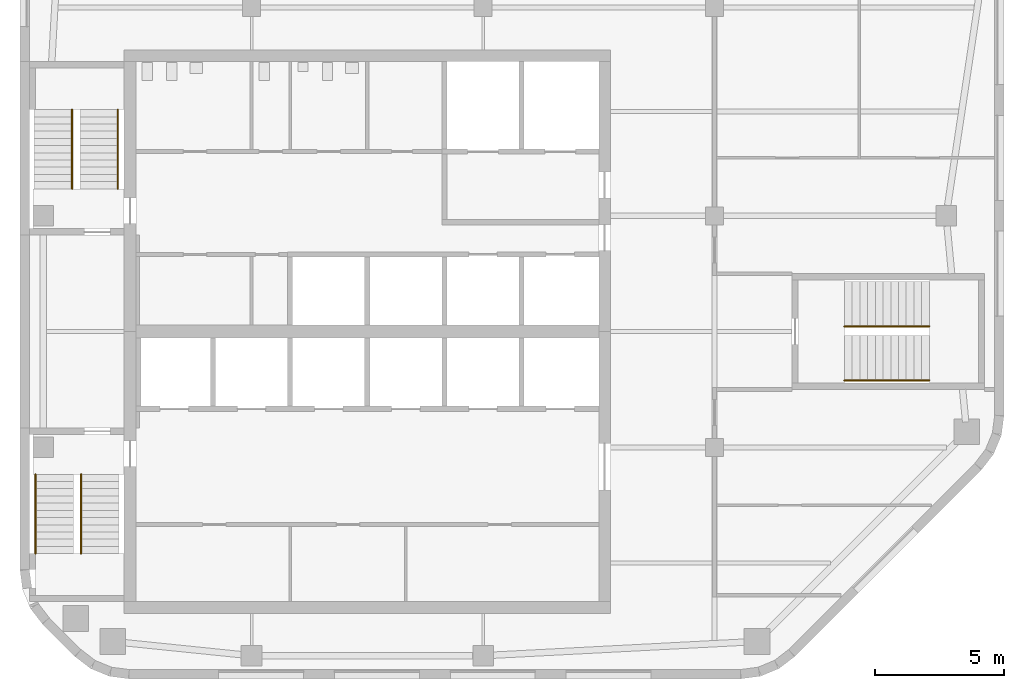
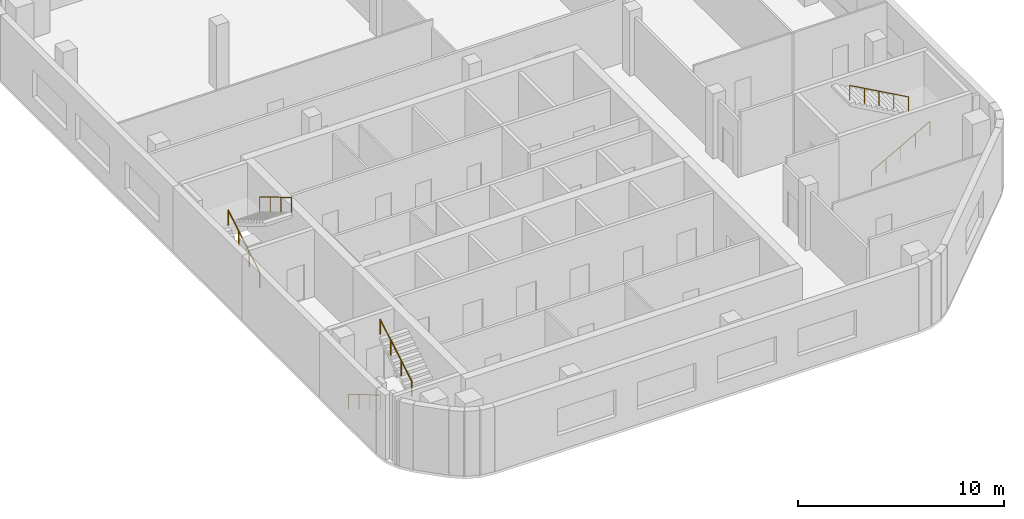
# One storey, part 6 of 7: 6 railings, 3 elements without a shape of their own.
"""IFC4 building model written with IfcOpenShell, lengths in metres."""

from ifc_helpers import new_model, si_unit, direction, frame, origin, origin_2d, place, context, subcontext, project, spatial, circle, extrude, material, type_object, element, aggregate, save


model = new_model("IFC4")

# Units and contexts
model_context = context("Model", 3, precision=1e-05, world=origin(), true_north=direction((0.0, 1.0)))
body_context = subcontext(model_context, "Body", "Model", "MODEL_VIEW")
ifc_project = project(units=[si_unit("LENGTHUNIT", "METRE"), si_unit("AREAUNIT", "SQUARE_METRE"), si_unit("VOLUMEUNIT", "CUBIC_METRE"), si_unit("PLANEANGLEUNIT", "RADIAN"), si_unit("MASSUNIT", "GRAM", prefix="KILO")], contexts=[model_context])

# Site, building, storey
site_placement = place(None, origin())
site = spatial("IfcSite", under=ifc_project, at=site_placement, CompositionType="ELEMENT")
building_placement = place(site_placement, origin())
building = spatial("IfcBuilding", under=site, at=building_placement, Name="Cinnabar Reach Civic Tower", CompositionType="ELEMENT")
storey_placement = place(building_placement, frame((0.0, 0.0, 251.0)))
storey = spatial("IfcBuildingStorey", under=building, at=storey_placement, Name="L60", CompositionType="ELEMENT", Elevation=251.0)

# Stair, railings
ifc_material_1 = material(Name="Concrete C40/50", Category="concrete")
stair_type = type_object("IfcStairType", Name="T1 Exit stair, half-turn", PredefinedType="HALF_TURN_STAIR", material=ifc_material_1)
stair_1_placement = place(storey_placement, origin())
stair_1 = element("IfcStair", 1, at=stair_1_placement, inside=storey, type_object=stair_type, Name="Stair T1-S1", PredefinedType="HALF_TURN_STAIR")
ifc_material_2 = material(Name="Stainless steel tube", Category="steel")
railing_type = type_object("IfcRailingType", Name="T1 Stair handrail, stainless tube 48", PredefinedType="HANDRAIL", material=ifc_material_2)
railing_1_placement = place(storey_placement, frame((0.6, 25.95, 0.1667)))
railing_1 = element("IfcRailing", 2, at=railing_1_placement, type_object=railing_type, Name="T1-S1 handrail 1", PredefinedType="HANDRAIL", context=body_context, shape_type="SweptSolid", body=[
    extrude(circle(Radius=0.024, at=origin_2d()), frame((0.0, 0.0, 0.876), z_axis=(0.0, -0.859296971757, 0.511476992962), x_axis=(1.0, 0.0, 0.0)), (0.0, 0.0, 1.0), 3.5843),
    extrude(circle(Radius=0.021, at=origin_2d()), origin(), (0.0, 0.0, 1.0), 0.852),
    extrude(circle(Radius=0.021, at=origin_2d()), frame((0.0, -1.0267, 0.6111)), (0.0, 0.0, 1.0), 0.852),
    extrude(circle(Radius=0.021, at=origin_2d()), frame((0.0, -2.0533, 1.2222)), (0.0, 0.0, 1.0), 0.852),
    extrude(circle(Radius=0.021, at=origin_2d()), frame((0.0, -3.08, 1.8333)), (0.0, 0.0, 1.0), 0.852),
])
railing_2_placement = place(storey_placement, frame((2.375, 22.87, 2.1667)))
railing_2 = element("IfcRailing", 3, at=railing_2_placement, type_object=railing_type, Name="T1-S1 handrail 2", PredefinedType="HANDRAIL", context=body_context, shape_type="SweptSolid", body=[
    extrude(circle(Radius=0.024, at=origin_2d()), frame((0.0, 0.0, 0.876), z_axis=(0.0, 0.859296971757, 0.511476992962), x_axis=(-1.0, 0.0, 0.0)), (0.0, 0.0, 1.0), 3.5843),
    extrude(circle(Radius=0.021, at=origin_2d()), origin(), (0.0, 0.0, 1.0), 0.852),
    extrude(circle(Radius=0.021, at=origin_2d()), frame((0.0, 1.0267, 0.6111)), (0.0, 0.0, 1.0), 0.852),
    extrude(circle(Radius=0.021, at=origin_2d()), frame((0.0, 2.0533, 1.2222)), (0.0, 0.0, 1.0), 0.852),
    extrude(circle(Radius=0.021, at=origin_2d()), frame((0.0, 3.08, 1.8333)), (0.0, 0.0, 1.0), 0.852),
])
aggregate(stair_1, [railing_1, railing_2])

stair_2_placement = place(storey_placement, origin())
stair_2 = element("IfcStair", 4, at=stair_2_placement, inside=storey, type_object=stair_type, Name="Stair T1-S2", PredefinedType="HALF_TURN_STAIR")
railing_3_placement = place(storey_placement, frame((2.025, 37.05, 0.1667)))
railing_3 = element("IfcRailing", 5, at=railing_3_placement, type_object=railing_type, Name="T1-S2 handrail 1", PredefinedType="HANDRAIL", context=body_context, shape_type="SweptSolid", body=[
    extrude(circle(Radius=0.024, at=origin_2d()), frame((0.0, 0.0, 0.876), z_axis=(0.0, 0.859296971757, 0.511476992962), x_axis=(-1.0, 0.0, 0.0)), (0.0, 0.0, 1.0), 3.5843),
    extrude(circle(Radius=0.021, at=origin_2d()), origin(), (0.0, 0.0, 1.0), 0.852),
    extrude(circle(Radius=0.021, at=origin_2d()), frame((0.0, 1.0267, 0.6111)), (0.0, 0.0, 1.0), 0.852),
    extrude(circle(Radius=0.021, at=origin_2d()), frame((0.0, 2.0533, 1.2222)), (0.0, 0.0, 1.0), 0.852),
    extrude(circle(Radius=0.021, at=origin_2d()), frame((0.0, 3.08, 1.8333)), (0.0, 0.0, 1.0), 0.852),
])
railing_4_placement = place(storey_placement, frame((3.8, 40.13, 2.1667)))
railing_4 = element("IfcRailing", 6, at=railing_4_placement, type_object=railing_type, Name="T1-S2 handrail 2", PredefinedType="HANDRAIL", context=body_context, shape_type="SweptSolid", body=[
    extrude(circle(Radius=0.024, at=origin_2d()), frame((0.0, 0.0, 0.876), z_axis=(0.0, -0.859296971757, 0.511476992962), x_axis=(1.0, 0.0, 0.0)), (0.0, 0.0, 1.0), 3.5843),
    extrude(circle(Radius=0.021, at=origin_2d()), origin(), (0.0, 0.0, 1.0), 0.852),
    extrude(circle(Radius=0.021, at=origin_2d()), frame((0.0, -1.0267, 0.6111)), (0.0, 0.0, 1.0), 0.852),
    extrude(circle(Radius=0.021, at=origin_2d()), frame((0.0, -2.0533, 1.2222)), (0.0, 0.0, 1.0), 0.852),
    extrude(circle(Radius=0.021, at=origin_2d()), frame((0.0, -3.08, 1.8333)), (0.0, 0.0, 1.0), 0.852),
])
aggregate(stair_2, [railing_3, railing_4])

stair_3_placement = place(storey_placement, origin())
stair_3 = element("IfcStair", 7, at=stair_3_placement, inside=storey, type_object=stair_type, Name="Stair T1-S3", PredefinedType="HALF_TURN_STAIR")
railing_5_placement = place(storey_placement, frame((32.05, 29.6, 0.1667)))
railing_5 = element("IfcRailing", 8, at=railing_5_placement, type_object=railing_type, Name="T1-S3 handrail 1", PredefinedType="HANDRAIL", context=body_context, shape_type="SweptSolid", body=[
    extrude(circle(Radius=0.024, at=origin_2d()), frame((0.0, 0.0, 0.876), z_axis=(0.874161024642, 0.0, 0.485636183781), x_axis=(0.0, 1.0, 0.0)), (0.0, 0.0, 1.0), 3.775),
    extrude(circle(Radius=0.021, at=origin_2d()), origin(), (0.0, 0.0, 1.0), 0.852),
    extrude(circle(Radius=0.021, at=origin_2d()), frame((0.825, 0.0, 0.4583)), (0.0, 0.0, 1.0), 0.852),
    extrude(circle(Radius=0.021, at=origin_2d()), frame((1.65, 0.0, 0.9167)), (0.0, 0.0, 1.0), 0.852),
    extrude(circle(Radius=0.021, at=origin_2d()), frame((2.475, 0.0, 1.375)), (0.0, 0.0, 1.0), 0.852),
    extrude(circle(Radius=0.021, at=origin_2d()), frame((3.3, 0.0, 1.8333)), (0.0, 0.0, 1.0), 0.852),
])
railing_6_placement = place(storey_placement, frame((35.35, 31.7, 2.1667)))
railing_6 = element("IfcRailing", 9, at=railing_6_placement, type_object=railing_type, Name="T1-S3 handrail 2", PredefinedType="HANDRAIL", context=body_context, shape_type="SweptSolid", body=[
    extrude(circle(Radius=0.024, at=origin_2d()), frame((0.0, 0.0, 0.876), z_axis=(-0.874161024642, 0.0, 0.485636183781), x_axis=(0.0, -1.0, 0.0)), (0.0, 0.0, 1.0), 3.775),
    extrude(circle(Radius=0.021, at=origin_2d()), origin(), (0.0, 0.0, 1.0), 0.852),
    extrude(circle(Radius=0.021, at=origin_2d()), frame((-0.825, 0.0, 0.4583)), (0.0, 0.0, 1.0), 0.852),
    extrude(circle(Radius=0.021, at=origin_2d()), frame((-1.65, 0.0, 0.9167)), (0.0, 0.0, 1.0), 0.852),
    extrude(circle(Radius=0.021, at=origin_2d()), frame((-2.475, 0.0, 1.375)), (0.0, 0.0, 1.0), 0.852),
    extrude(circle(Radius=0.021, at=origin_2d()), frame((-3.3, 0.0, 1.8333)), (0.0, 0.0, 1.0), 0.852),
])
aggregate(stair_3, [railing_5, railing_6])

save(model, "model.ifc")
